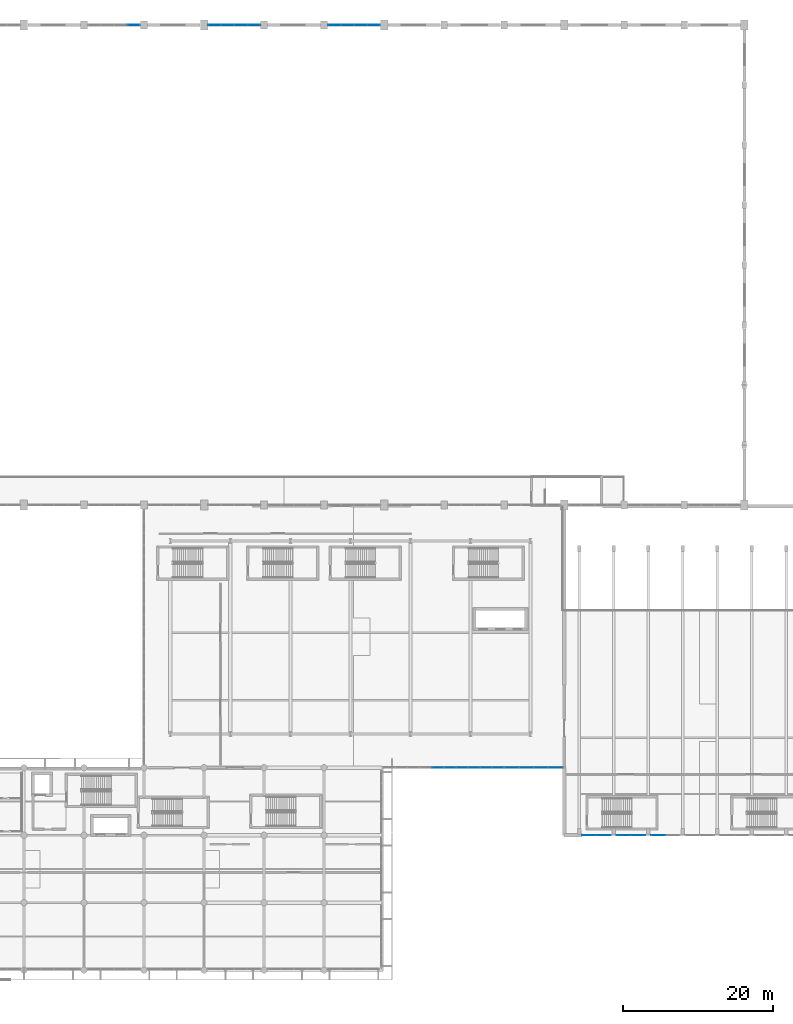
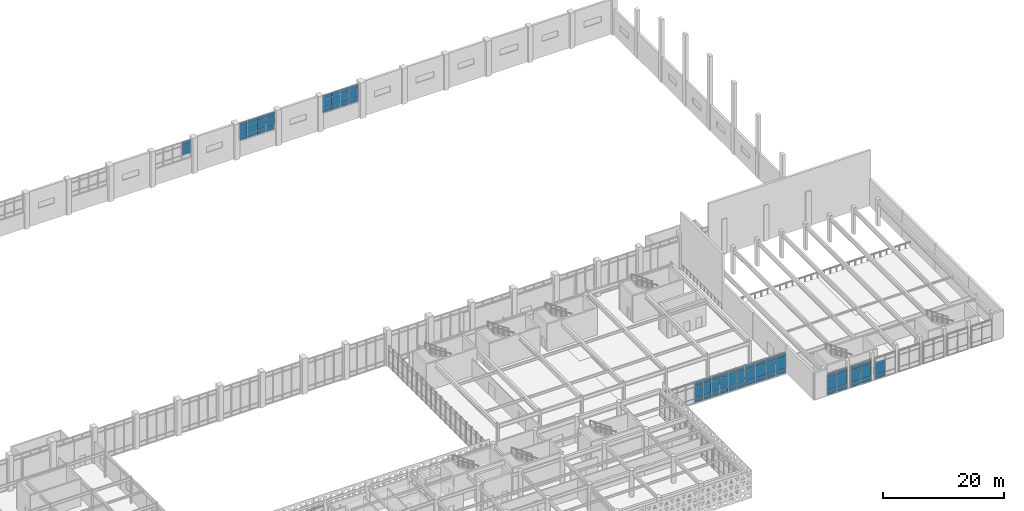
# One storey, part 56 of 84: 70 plates, 9 elements without a shape of their own.
"""IFC4 building model written with IfcOpenShell, lengths in metres."""

from ifc_helpers import new_model, si_unit, direction, frame, origin, origin_2d, place, context, subcontext, project, spatial, rectangle, extrude, material, layer, layer_set, type_object, element, aggregate, save


model = new_model("IFC4")

# Units and contexts
model_context = context("Model", 3, precision=1e-05, world=origin(), true_north=direction((0.0, 1.0)))
body_context = subcontext(model_context, "Body", "Model", "MODEL_VIEW")
ifc_project = project(units=[si_unit("LENGTHUNIT", "METRE"), si_unit("AREAUNIT", "SQUARE_METRE"), si_unit("VOLUMEUNIT", "CUBIC_METRE"), si_unit("PLANEANGLEUNIT", "RADIAN"), si_unit("MASSUNIT", "GRAM", prefix="KILO")], contexts=[model_context])

# Site, building, storey
site_placement = place(None, origin())
site = spatial("IfcSite", under=ifc_project, at=site_placement, CompositionType="ELEMENT")
building_placement = place(site_placement, origin())
building = spatial("IfcBuilding", under=site, at=building_placement, Name="Tlacozan Convention Centre", CompositionType="ELEMENT")
storey_placement = place(building_placement, frame((0.0, 0.0, 6.0)))
storey = spatial("IfcBuildingStorey", under=building, at=storey_placement, Name="L01", CompositionType="ELEMENT", Elevation=6.0)

# Curtain wall, plates
ifc_material_1 = material(Name="Dark Bronze Anodised Aluminium", Category="aluminium")
ifc_layer_1 = layer(ifc_material_1, 0.199951171875)
ifc_layer_set_1 = layer_set([ifc_layer_1], Name="Dark Bronze Anodised Aluminium")
curtain_wall_type_1 = type_object("IfcCurtainWallType", Name="Exhibition Clerestory Curtain Wall CW10", PredefinedType="NOTDEFINED", material=ifc_layer_set_1)
curtain_wall_1_placement = place(storey_placement, origin())
curtain_wall_1 = element("IfcCurtainWall", 1, at=curtain_wall_1_placement, inside=storey, type_object=curtain_wall_type_1, Name="L01 CW-10 Run 6", PredefinedType="NOTDEFINED")
ifc_material_2 = material(Name="Solar Control Double Low-E Argon Glazing", Category="glass")
ifc_layer_2 = layer(ifc_material_2, 0.050048828125)
ifc_layer_set_2 = layer_set([ifc_layer_2], Name="Solar Control Double Low-E Argon Glazing")
plate_type_1 = type_object("IfcPlateType", Name="Clerestory Solar CW Panel 50", PredefinedType="CURTAIN_PANEL", material=ifc_layer_set_2)
plate_1_placement = place(storey_placement, frame((86.632568359375, 126.0, 4.137451171875), z_axis=(0.0, 0.0, 1.0), x_axis=(1.0, 0.0, 0.0)))
plate_1 = element("IfcPlate", 2, at=plate_1_placement, type_object=plate_type_1, Name="CW-10 panel 4.2", PredefinedType="CURTAIN_PANEL", context=body_context, shape_type="SweptSolid", body=[
    extrude(rectangle(XDim=1.655029296875, YDim=0.050048828125, at=origin_2d()), origin(), (0.0, 0.0, 1.0), 1.77490234375),
])
plate_2_placement = place(storey_placement, frame((86.632568359375, 126.0, 5.9873046875), z_axis=(0.0, 0.0, 1.0), x_axis=(1.0, 0.0, 0.0)))
plate_2 = element("IfcPlate", 3, at=plate_2_placement, type_object=plate_type_1, Name="CW-10 panel 4.3", PredefinedType="CURTAIN_PANEL", context=body_context, shape_type="SweptSolid", body=[
    extrude(rectangle(XDim=1.655029296875, YDim=0.050048828125, at=origin_2d()), origin(), (0.0, 0.0, 1.0), 0.737548828125),
])
aggregate(curtain_wall_1, [plate_1, plate_2])

curtain_wall_2_placement = place(storey_placement, origin())
curtain_wall_2 = element("IfcCurtainWall", 4, at=curtain_wall_2_placement, inside=storey, type_object=curtain_wall_type_1, Name="L01 CW-10 Run 7", PredefinedType="NOTDEFINED")
plate_3_placement = place(storey_placement, frame((97.4111328125, 126.0, 3.27490234375), z_axis=(0.0, 0.0, 1.0), x_axis=(1.0, 0.0, 0.0)))
plate_3 = element("IfcPlate", 5, at=plate_3_placement, type_object=plate_type_1, Name="CW-10 panel 1.1", PredefinedType="CURTAIN_PANEL", context=body_context, shape_type="SweptSolid", body=[
    extrude(rectangle(XDim=1.642578125, YDim=0.050048828125, at=origin_2d()), origin(), (0.0, 0.0, 1.0), 0.78759765625),
])
plate_4_placement = place(storey_placement, frame((97.4111328125, 126.0, 4.137451171875), z_axis=(0.0, 0.0, 1.0), x_axis=(1.0, 0.0, 0.0)))
plate_4 = element("IfcPlate", 6, at=plate_4_placement, type_object=plate_type_1, Name="CW-10 panel 1.2", PredefinedType="CURTAIN_PANEL", context=body_context, shape_type="SweptSolid", body=[
    extrude(rectangle(XDim=1.642578125, YDim=0.050048828125, at=origin_2d()), origin(), (0.0, 0.0, 1.0), 1.77490234375),
])
plate_5_placement = place(storey_placement, frame((97.4111328125, 126.0, 5.9873046875), z_axis=(0.0, 0.0, 1.0), x_axis=(1.0, 0.0, 0.0)))
plate_5 = element("IfcPlate", 7, at=plate_5_placement, type_object=plate_type_1, Name="CW-10 panel 1.3", PredefinedType="CURTAIN_PANEL", context=body_context, shape_type="SweptSolid", body=[
    extrude(rectangle(XDim=1.642578125, YDim=0.050048828125, at=origin_2d()), origin(), (0.0, 0.0, 1.0), 0.737548828125),
])
plate_6_placement = place(storey_placement, frame((99.1474609375, 126.0, 3.27490234375), z_axis=(0.0, 0.0, 1.0), x_axis=(1.0, 0.0, 0.0)))
plate_6 = element("IfcPlate", 8, at=plate_6_placement, type_object=plate_type_1, Name="CW-10 panel 2.1", PredefinedType="CURTAIN_PANEL", context=body_context, shape_type="SweptSolid", body=[
    extrude(rectangle(XDim=1.679931640625, YDim=0.050048828125, at=origin_2d()), origin(), (0.0, 0.0, 1.0), 0.78759765625),
])
plate_7_placement = place(storey_placement, frame((99.1474609375, 126.0, 4.137451171875), z_axis=(0.0, 0.0, 1.0), x_axis=(1.0, 0.0, 0.0)))
plate_7 = element("IfcPlate", 9, at=plate_7_placement, type_object=plate_type_1, Name="CW-10 panel 2.2", PredefinedType="CURTAIN_PANEL", context=body_context, shape_type="SweptSolid", body=[
    extrude(rectangle(XDim=1.679931640625, YDim=0.050048828125, at=origin_2d()), origin(), (0.0, 0.0, 1.0), 1.77490234375),
])
plate_8_placement = place(storey_placement, frame((99.1474609375, 126.0, 5.9873046875), z_axis=(0.0, 0.0, 1.0), x_axis=(1.0, 0.0, 0.0)))
plate_8 = element("IfcPlate", 10, at=plate_8_placement, type_object=plate_type_1, Name="CW-10 panel 2.3", PredefinedType="CURTAIN_PANEL", context=body_context, shape_type="SweptSolid", body=[
    extrude(rectangle(XDim=1.679931640625, YDim=0.050048828125, at=origin_2d()), origin(), (0.0, 0.0, 1.0), 0.737548828125),
])
plate_9_placement = place(storey_placement, frame((100.902587890625, 126.0, 3.27490234375), z_axis=(0.0, 0.0, 1.0), x_axis=(1.0, 0.0, 0.0)))
plate_9 = element("IfcPlate", 11, at=plate_9_placement, type_object=plate_type_1, Name="CW-10 panel 3.1", PredefinedType="CURTAIN_PANEL", context=body_context, shape_type="SweptSolid", body=[
    extrude(rectangle(XDim=1.679931640625, YDim=0.050048828125, at=origin_2d()), origin(), (0.0, 0.0, 1.0), 0.78759765625),
])
plate_10_placement = place(storey_placement, frame((100.902587890625, 126.0, 4.137451171875), z_axis=(0.0, 0.0, 1.0), x_axis=(1.0, 0.0, 0.0)))
plate_10 = element("IfcPlate", 12, at=plate_10_placement, type_object=plate_type_1, Name="CW-10 panel 3.2", PredefinedType="CURTAIN_PANEL", context=body_context, shape_type="SweptSolid", body=[
    extrude(rectangle(XDim=1.679931640625, YDim=0.050048828125, at=origin_2d()), origin(), (0.0, 0.0, 1.0), 1.77490234375),
])
plate_11_placement = place(storey_placement, frame((100.902587890625, 126.0, 5.9873046875), z_axis=(0.0, 0.0, 1.0), x_axis=(1.0, 0.0, 0.0)))
plate_11 = element("IfcPlate", 13, at=plate_11_placement, type_object=plate_type_1, Name="CW-10 panel 3.3", PredefinedType="CURTAIN_PANEL", context=body_context, shape_type="SweptSolid", body=[
    extrude(rectangle(XDim=1.679931640625, YDim=0.050048828125, at=origin_2d()), origin(), (0.0, 0.0, 1.0), 0.737548828125),
])
plate_12_placement = place(storey_placement, frame((102.638671875, 126.0, 3.27490234375), z_axis=(0.0, 0.0, 1.0), x_axis=(1.0, 0.0, 0.0)))
plate_12 = element("IfcPlate", 14, at=plate_12_placement, type_object=plate_type_1, Name="CW-10 panel 4.1", PredefinedType="CURTAIN_PANEL", context=body_context, shape_type="SweptSolid", body=[
    extrude(rectangle(XDim=1.642578125, YDim=0.050048828125, at=origin_2d()), origin(), (0.0, 0.0, 1.0), 0.78759765625),
])
plate_13_placement = place(storey_placement, frame((102.638671875, 126.0, 4.137451171875), z_axis=(0.0, 0.0, 1.0), x_axis=(1.0, 0.0, 0.0)))
plate_13 = element("IfcPlate", 15, at=plate_13_placement, type_object=plate_type_1, Name="CW-10 panel 4.2", PredefinedType="CURTAIN_PANEL", context=body_context, shape_type="SweptSolid", body=[
    extrude(rectangle(XDim=1.642578125, YDim=0.050048828125, at=origin_2d()), origin(), (0.0, 0.0, 1.0), 1.77490234375),
])
plate_14_placement = place(storey_placement, frame((102.638671875, 126.0, 5.9873046875), z_axis=(0.0, 0.0, 1.0), x_axis=(1.0, 0.0, 0.0)))
plate_14 = element("IfcPlate", 16, at=plate_14_placement, type_object=plate_type_1, Name="CW-10 panel 4.3", PredefinedType="CURTAIN_PANEL", context=body_context, shape_type="SweptSolid", body=[
    extrude(rectangle(XDim=1.642578125, YDim=0.050048828125, at=origin_2d()), origin(), (0.0, 0.0, 1.0), 0.737548828125),
])
aggregate(curtain_wall_2, [plate_3, plate_4, plate_5, plate_6, plate_7, plate_8, plate_9, plate_10, plate_11, plate_12, plate_13, plate_14])

curtain_wall_3_placement = place(storey_placement, origin())
curtain_wall_3 = element("IfcCurtainWall", 17, at=curtain_wall_3_placement, inside=storey, type_object=curtain_wall_type_1, Name="L01 CW-10 Run 8", PredefinedType="NOTDEFINED")
plate_15_placement = place(storey_placement, frame((113.361328125, 126.0, 3.27490234375), z_axis=(0.0, 0.0, 1.0), x_axis=(1.0, 0.0, 0.0)))
plate_15 = element("IfcPlate", 18, at=plate_15_placement, type_object=plate_type_1, Name="CW-10 panel 1.1", PredefinedType="CURTAIN_PANEL", context=body_context, shape_type="SweptSolid", body=[
    extrude(rectangle(XDim=1.642578125, YDim=0.050048828125, at=origin_2d()), origin(), (0.0, 0.0, 1.0), 0.78759765625),
])
plate_16_placement = place(storey_placement, frame((113.361328125, 126.0, 4.137451171875), z_axis=(0.0, 0.0, 1.0), x_axis=(1.0, 0.0, 0.0)))
plate_16 = element("IfcPlate", 19, at=plate_16_placement, type_object=plate_type_1, Name="CW-10 panel 1.2", PredefinedType="CURTAIN_PANEL", context=body_context, shape_type="SweptSolid", body=[
    extrude(rectangle(XDim=1.642578125, YDim=0.050048828125, at=origin_2d()), origin(), (0.0, 0.0, 1.0), 1.77490234375),
])
plate_17_placement = place(storey_placement, frame((113.361328125, 126.0, 5.9873046875), z_axis=(0.0, 0.0, 1.0), x_axis=(1.0, 0.0, 0.0)))
plate_17 = element("IfcPlate", 20, at=plate_17_placement, type_object=plate_type_1, Name="CW-10 panel 1.3", PredefinedType="CURTAIN_PANEL", context=body_context, shape_type="SweptSolid", body=[
    extrude(rectangle(XDim=1.642578125, YDim=0.050048828125, at=origin_2d()), origin(), (0.0, 0.0, 1.0), 0.737548828125),
])
plate_18_placement = place(storey_placement, frame((115.097412109375, 126.0, 3.27490234375), z_axis=(0.0, 0.0, 1.0), x_axis=(1.0, 0.0, 0.0)))
plate_18 = element("IfcPlate", 21, at=plate_18_placement, type_object=plate_type_1, Name="CW-10 panel 2.1", PredefinedType="CURTAIN_PANEL", context=body_context, shape_type="SweptSolid", body=[
    extrude(rectangle(XDim=1.679931640625, YDim=0.050048828125, at=origin_2d()), origin(), (0.0, 0.0, 1.0), 0.78759765625),
])
plate_19_placement = place(storey_placement, frame((115.097412109375, 126.0, 4.137451171875), z_axis=(0.0, 0.0, 1.0), x_axis=(1.0, 0.0, 0.0)))
plate_19 = element("IfcPlate", 22, at=plate_19_placement, type_object=plate_type_1, Name="CW-10 panel 2.2", PredefinedType="CURTAIN_PANEL", context=body_context, shape_type="SweptSolid", body=[
    extrude(rectangle(XDim=1.679931640625, YDim=0.050048828125, at=origin_2d()), origin(), (0.0, 0.0, 1.0), 1.77490234375),
])
plate_20_placement = place(storey_placement, frame((115.097412109375, 126.0, 5.9873046875), z_axis=(0.0, 0.0, 1.0), x_axis=(1.0, 0.0, 0.0)))
plate_20 = element("IfcPlate", 23, at=plate_20_placement, type_object=plate_type_1, Name="CW-10 panel 2.3", PredefinedType="CURTAIN_PANEL", context=body_context, shape_type="SweptSolid", body=[
    extrude(rectangle(XDim=1.679931640625, YDim=0.050048828125, at=origin_2d()), origin(), (0.0, 0.0, 1.0), 0.737548828125),
])
plate_21_placement = place(storey_placement, frame((116.8525390625, 126.0, 3.27490234375), z_axis=(0.0, 0.0, 1.0), x_axis=(1.0, 0.0, 0.0)))
plate_21 = element("IfcPlate", 24, at=plate_21_placement, type_object=plate_type_1, Name="CW-10 panel 3.1", PredefinedType="CURTAIN_PANEL", context=body_context, shape_type="SweptSolid", body=[
    extrude(rectangle(XDim=1.679931640625, YDim=0.050048828125, at=origin_2d()), origin(), (0.0, 0.0, 1.0), 0.78759765625),
])
plate_22_placement = place(storey_placement, frame((116.8525390625, 126.0, 4.137451171875), z_axis=(0.0, 0.0, 1.0), x_axis=(1.0, 0.0, 0.0)))
plate_22 = element("IfcPlate", 25, at=plate_22_placement, type_object=plate_type_1, Name="CW-10 panel 3.2", PredefinedType="CURTAIN_PANEL", context=body_context, shape_type="SweptSolid", body=[
    extrude(rectangle(XDim=1.679931640625, YDim=0.050048828125, at=origin_2d()), origin(), (0.0, 0.0, 1.0), 1.77490234375),
])
plate_23_placement = place(storey_placement, frame((116.8525390625, 126.0, 5.9873046875), z_axis=(0.0, 0.0, 1.0), x_axis=(1.0, 0.0, 0.0)))
plate_23 = element("IfcPlate", 26, at=plate_23_placement, type_object=plate_type_1, Name="CW-10 panel 3.3", PredefinedType="CURTAIN_PANEL", context=body_context, shape_type="SweptSolid", body=[
    extrude(rectangle(XDim=1.679931640625, YDim=0.050048828125, at=origin_2d()), origin(), (0.0, 0.0, 1.0), 0.737548828125),
])
plate_24_placement = place(storey_placement, frame((118.5888671875, 126.0, 3.27490234375), z_axis=(0.0, 0.0, 1.0), x_axis=(1.0, 0.0, 0.0)))
plate_24 = element("IfcPlate", 27, at=plate_24_placement, type_object=plate_type_1, Name="CW-10 panel 4.1", PredefinedType="CURTAIN_PANEL", context=body_context, shape_type="SweptSolid", body=[
    extrude(rectangle(XDim=1.642578125, YDim=0.050048828125, at=origin_2d()), origin(), (0.0, 0.0, 1.0), 0.78759765625),
])
plate_25_placement = place(storey_placement, frame((118.5888671875, 126.0, 4.137451171875), z_axis=(0.0, 0.0, 1.0), x_axis=(1.0, 0.0, 0.0)))
plate_25 = element("IfcPlate", 28, at=plate_25_placement, type_object=plate_type_1, Name="CW-10 panel 4.2", PredefinedType="CURTAIN_PANEL", context=body_context, shape_type="SweptSolid", body=[
    extrude(rectangle(XDim=1.642578125, YDim=0.050048828125, at=origin_2d()), origin(), (0.0, 0.0, 1.0), 1.77490234375),
])
plate_26_placement = place(storey_placement, frame((118.5888671875, 126.0, 5.9873046875), z_axis=(0.0, 0.0, 1.0), x_axis=(1.0, 0.0, 0.0)))
plate_26 = element("IfcPlate", 29, at=plate_26_placement, type_object=plate_type_1, Name="CW-10 panel 4.3", PredefinedType="CURTAIN_PANEL", context=body_context, shape_type="SweptSolid", body=[
    extrude(rectangle(XDim=1.642578125, YDim=0.050048828125, at=origin_2d()), origin(), (0.0, 0.0, 1.0), 0.737548828125),
])
aggregate(curtain_wall_3, [plate_15, plate_16, plate_17, plate_18, plate_19, plate_20, plate_21, plate_22, plate_23, plate_24, plate_25, plate_26])

ifc_layer_3 = layer(ifc_material_1, 0.139892578125)
ifc_layer_set_3 = layer_set([ifc_layer_3], Name="Dark Bronze Anodised Aluminium")
curtain_wall_type_2 = type_object("IfcCurtainWallType", Name="Plenary Foyer L01 Curtain Wall CW11", PredefinedType="NOTDEFINED", material=ifc_layer_set_3)
curtain_wall_4_placement = place(storey_placement, origin())
curtain_wall_4 = element("IfcCurtainWall", 30, at=curtain_wall_4_placement, inside=storey, type_object=curtain_wall_type_2, Name="L01 CW-11 Run 141", PredefinedType="NOTDEFINED")
ifc_layer_4 = layer(ifc_material_2, 0.030029296875)
ifc_layer_set_4 = layer_set([ifc_layer_4], Name="Solar Control Double Low-E Argon Glazing")
plate_type_2 = type_object("IfcPlateType", Name="Double Low-E Acoustic CW Panel 30", PredefinedType="CURTAIN_PANEL", material=ifc_layer_set_4)
plate_27_placement = place(storey_placement, frame((147.340087890625, 18.0, 0.06005859375), z_axis=(0.0, 0.0, 1.0), x_axis=(1.0, 0.0, 0.0)))
plate_27 = element("IfcPlate", 31, at=plate_27_placement, type_object=plate_type_2, Name="CW-11 panel 1.1", PredefinedType="CURTAIN_PANEL", context=body_context, shape_type="SweptSolid", body=[
    extrude(rectangle(XDim=1.860107421875, YDim=0.030029296875, at=origin_2d()), origin(), (0.0, 0.0, 1.0), 0.81005859375),
])
plate_28_placement = place(storey_placement, frame((147.340087890625, 18.0, 0.93017578125), z_axis=(0.0, 0.0, 1.0), x_axis=(1.0, 0.0, 0.0)))
plate_28 = element("IfcPlate", 32, at=plate_28_placement, type_object=plate_type_2, Name="CW-11 panel 1.2", PredefinedType="CURTAIN_PANEL", context=body_context, shape_type="SweptSolid", body=[
    extrude(rectangle(XDim=1.860107421875, YDim=0.030029296875, at=origin_2d()), origin(), (0.0, 0.0, 1.0), 2.389892578125),
])
plate_29_placement = place(storey_placement, frame((147.340087890625, 18.0, 3.3798828125), z_axis=(0.0, 0.0, 1.0), x_axis=(1.0, 0.0, 0.0)))
plate_29 = element("IfcPlate", 33, at=plate_29_placement, type_object=plate_type_2, Name="CW-11 panel 1.3", PredefinedType="CURTAIN_PANEL", context=body_context, shape_type="SweptSolid", body=[
    extrude(rectangle(XDim=1.860107421875, YDim=0.030029296875, at=origin_2d()), origin(), (0.0, 0.0, 1.0), 0.760009765625),
])
plate_30_placement = place(storey_placement, frame((149.260009765625, 18.0, 0.06005859375), z_axis=(0.0, 0.0, 1.0), x_axis=(1.0, 0.0, 0.0)))
plate_30 = element("IfcPlate", 34, at=plate_30_placement, type_object=plate_type_2, Name="CW-11 panel 2.1", PredefinedType="CURTAIN_PANEL", context=body_context, shape_type="SweptSolid", body=[
    extrude(rectangle(XDim=1.860107421875, YDim=0.030029296875, at=origin_2d()), origin(), (0.0, 0.0, 1.0), 0.81005859375),
])
plate_31_placement = place(storey_placement, frame((149.260009765625, 18.0, 0.93017578125), z_axis=(0.0, 0.0, 1.0), x_axis=(1.0, 0.0, 0.0)))
plate_31 = element("IfcPlate", 35, at=plate_31_placement, type_object=plate_type_2, Name="CW-11 panel 2.2", PredefinedType="CURTAIN_PANEL", context=body_context, shape_type="SweptSolid", body=[
    extrude(rectangle(XDim=1.860107421875, YDim=0.030029296875, at=origin_2d()), origin(), (0.0, 0.0, 1.0), 2.389892578125),
])
plate_32_placement = place(storey_placement, frame((149.260009765625, 18.0, 3.3798828125), z_axis=(0.0, 0.0, 1.0), x_axis=(1.0, 0.0, 0.0)))
plate_32 = element("IfcPlate", 36, at=plate_32_placement, type_object=plate_type_2, Name="CW-11 panel 2.3", PredefinedType="CURTAIN_PANEL", context=body_context, shape_type="SweptSolid", body=[
    extrude(rectangle(XDim=1.860107421875, YDim=0.030029296875, at=origin_2d()), origin(), (0.0, 0.0, 1.0), 0.760009765625),
])
aggregate(curtain_wall_4, [plate_27, plate_28, plate_29, plate_30, plate_31, plate_32])

curtain_wall_5_placement = place(storey_placement, origin())
curtain_wall_5 = element("IfcCurtainWall", 37, at=curtain_wall_5_placement, inside=storey, type_object=curtain_wall_type_2, Name="L01 CW-11 Run 143", PredefinedType="NOTDEFINED")
plate_33_placement = place(storey_placement, frame((151.93994140625, 18.0, 0.06005859375), z_axis=(0.0, 0.0, 1.0), x_axis=(1.0, 0.0, 0.0)))
plate_33 = element("IfcPlate", 38, at=plate_33_placement, type_object=plate_type_2, Name="CW-11 panel 1.1", PredefinedType="CURTAIN_PANEL", context=body_context, shape_type="SweptSolid", body=[
    extrude(rectangle(XDim=1.860107421875, YDim=0.030029296875, at=origin_2d()), origin(), (0.0, 0.0, 1.0), 0.81005859375),
])
plate_34_placement = place(storey_placement, frame((151.93994140625, 18.0, 0.93017578125), z_axis=(0.0, 0.0, 1.0), x_axis=(1.0, 0.0, 0.0)))
plate_34 = element("IfcPlate", 39, at=plate_34_placement, type_object=plate_type_2, Name="CW-11 panel 1.2", PredefinedType="CURTAIN_PANEL", context=body_context, shape_type="SweptSolid", body=[
    extrude(rectangle(XDim=1.860107421875, YDim=0.030029296875, at=origin_2d()), origin(), (0.0, 0.0, 1.0), 2.389892578125),
])
plate_35_placement = place(storey_placement, frame((151.93994140625, 18.0, 3.3798828125), z_axis=(0.0, 0.0, 1.0), x_axis=(1.0, 0.0, 0.0)))
plate_35 = element("IfcPlate", 40, at=plate_35_placement, type_object=plate_type_2, Name="CW-11 panel 1.3", PredefinedType="CURTAIN_PANEL", context=body_context, shape_type="SweptSolid", body=[
    extrude(rectangle(XDim=1.860107421875, YDim=0.030029296875, at=origin_2d()), origin(), (0.0, 0.0, 1.0), 0.760009765625),
])
plate_36_placement = place(storey_placement, frame((153.860107421875, 18.0, 0.06005859375), z_axis=(0.0, 0.0, 1.0), x_axis=(1.0, 0.0, 0.0)))
plate_36 = element("IfcPlate", 41, at=plate_36_placement, type_object=plate_type_2, Name="CW-11 panel 2.1", PredefinedType="CURTAIN_PANEL", context=body_context, shape_type="SweptSolid", body=[
    extrude(rectangle(XDim=1.860107421875, YDim=0.030029296875, at=origin_2d()), origin(), (0.0, 0.0, 1.0), 0.81005859375),
])
plate_37_placement = place(storey_placement, frame((153.860107421875, 18.0, 0.93017578125), z_axis=(0.0, 0.0, 1.0), x_axis=(1.0, 0.0, 0.0)))
plate_37 = element("IfcPlate", 42, at=plate_37_placement, type_object=plate_type_2, Name="CW-11 panel 2.2", PredefinedType="CURTAIN_PANEL", context=body_context, shape_type="SweptSolid", body=[
    extrude(rectangle(XDim=1.860107421875, YDim=0.030029296875, at=origin_2d()), origin(), (0.0, 0.0, 1.0), 2.389892578125),
])
plate_38_placement = place(storey_placement, frame((153.860107421875, 18.0, 3.3798828125), z_axis=(0.0, 0.0, 1.0), x_axis=(1.0, 0.0, 0.0)))
plate_38 = element("IfcPlate", 43, at=plate_38_placement, type_object=plate_type_2, Name="CW-11 panel 2.3", PredefinedType="CURTAIN_PANEL", context=body_context, shape_type="SweptSolid", body=[
    extrude(rectangle(XDim=1.860107421875, YDim=0.030029296875, at=origin_2d()), origin(), (0.0, 0.0, 1.0), 0.760009765625),
])
aggregate(curtain_wall_5, [plate_33, plate_34, plate_35, plate_36, plate_37, plate_38])

curtain_wall_6_placement = place(storey_placement, origin())
curtain_wall_6 = element("IfcCurtainWall", 44, at=curtain_wall_6_placement, inside=storey, type_object=curtain_wall_type_2, Name="L01 CW-11 Run 145", PredefinedType="NOTDEFINED")
plate_39_placement = place(storey_placement, frame((156.5400390625, 18.0, 0.06005859375), z_axis=(0.0, 0.0, 1.0), x_axis=(1.0, 0.0, 0.0)))
plate_39 = element("IfcPlate", 45, at=plate_39_placement, type_object=plate_type_2, Name="CW-11 panel 1.1", PredefinedType="CURTAIN_PANEL", context=body_context, shape_type="SweptSolid", body=[
    extrude(rectangle(XDim=1.860107421875, YDim=0.030029296875, at=origin_2d()), origin(), (0.0, 0.0, 1.0), 0.81005859375),
])
plate_40_placement = place(storey_placement, frame((156.5400390625, 18.0, 0.93017578125), z_axis=(0.0, 0.0, 1.0), x_axis=(1.0, 0.0, 0.0)))
plate_40 = element("IfcPlate", 46, at=plate_40_placement, type_object=plate_type_2, Name="CW-11 panel 1.2", PredefinedType="CURTAIN_PANEL", context=body_context, shape_type="SweptSolid", body=[
    extrude(rectangle(XDim=1.860107421875, YDim=0.030029296875, at=origin_2d()), origin(), (0.0, 0.0, 1.0), 2.389892578125),
])
aggregate(curtain_wall_6, [plate_39, plate_40])

ifc_layer_5 = layer(ifc_material_1, 0.199951171875)
ifc_layer_set_5 = layer_set([ifc_layer_5], Name="Dark Bronze Anodised Aluminium")
curtain_wall_type_3 = type_object("IfcCurtainWallType", Name="Unitised Ballroom Cloister L01 CW08", PredefinedType="NOTDEFINED", material=ifc_layer_set_5)
curtain_wall_7_placement = place(storey_placement, origin())
curtain_wall_7 = element("IfcCurtainWall", 47, at=curtain_wall_7_placement, inside=storey, type_object=curtain_wall_type_3, Name="L01 CW-08 Run 165", PredefinedType="NOTDEFINED")
plate_41_placement = place(storey_placement, frame((127.163818359375, 27.0, 0.06494140625), z_axis=(0.0, 0.0, 1.0), x_axis=(1.0, 0.0, 0.0)))
plate_41 = element("IfcPlate", 48, at=plate_41_placement, type_object=plate_type_2, Name="CW-08 panel 5.1", PredefinedType="CURTAIN_PANEL", context=body_context, shape_type="SweptSolid", body=[
    extrude(rectangle(XDim=1.54248046875, YDim=0.030029296875, at=origin_2d()), origin(), (0.0, 0.0, 1.0), 0.802490234375),
])
plate_42_placement = place(storey_placement, frame((127.163818359375, 27.0, 0.9326171875), z_axis=(0.0, 0.0, 1.0), x_axis=(1.0, 0.0, 0.0)))
plate_42 = element("IfcPlate", 49, at=plate_42_placement, type_object=plate_type_2, Name="CW-08 panel 5.2", PredefinedType="CURTAIN_PANEL", context=body_context, shape_type="SweptSolid", body=[
    extrude(rectangle(XDim=1.54248046875, YDim=0.030029296875, at=origin_2d()), origin(), (0.0, 0.0, 1.0), 2.284912109375),
])
plate_43_placement = place(storey_placement, frame((127.163818359375, 27.0, 3.282470703125), z_axis=(0.0, 0.0, 1.0), x_axis=(1.0, 0.0, 0.0)))
plate_43 = element("IfcPlate", 50, at=plate_43_placement, type_object=plate_type_2, Name="CW-08 panel 5.3", PredefinedType="CURTAIN_PANEL", context=body_context, shape_type="SweptSolid", body=[
    extrude(rectangle(XDim=1.54248046875, YDim=0.030029296875, at=origin_2d()), origin(), (0.0, 0.0, 1.0), 0.75244140625),
])
aggregate(curtain_wall_7, [plate_41, plate_42, plate_43])

curtain_wall_8_placement = place(storey_placement, origin())
curtain_wall_8 = element("IfcCurtainWall", 51, at=curtain_wall_8_placement, inside=storey, type_object=curtain_wall_type_3, Name="L01 CW-08 Run 166", PredefinedType="NOTDEFINED")
plate_44_placement = place(storey_placement, frame((128.816162109375, 27.0, 0.06494140625), z_axis=(0.0, 0.0, 1.0), x_axis=(1.0, 0.0, 0.0)))
plate_44 = element("IfcPlate", 52, at=plate_44_placement, type_object=plate_type_2, Name="CW-08 panel 1.1", PredefinedType="CURTAIN_PANEL", context=body_context, shape_type="SweptSolid", body=[
    extrude(rectangle(XDim=1.50244140625, YDim=0.030029296875, at=origin_2d()), origin(), (0.0, 0.0, 1.0), 0.802490234375),
])
plate_45_placement = place(storey_placement, frame((128.816162109375, 27.0, 0.9326171875), z_axis=(0.0, 0.0, 1.0), x_axis=(1.0, 0.0, 0.0)))
plate_45 = element("IfcPlate", 53, at=plate_45_placement, type_object=plate_type_2, Name="CW-08 panel 1.2", PredefinedType="CURTAIN_PANEL", context=body_context, shape_type="SweptSolid", body=[
    extrude(rectangle(XDim=1.50244140625, YDim=0.030029296875, at=origin_2d()), origin(), (0.0, 0.0, 1.0), 2.284912109375),
])
plate_46_placement = place(storey_placement, frame((128.816162109375, 27.0, 3.282470703125), z_axis=(0.0, 0.0, 1.0), x_axis=(1.0, 0.0, 0.0)))
plate_46 = element("IfcPlate", 54, at=plate_46_placement, type_object=plate_type_2, Name="CW-08 panel 1.3", PredefinedType="CURTAIN_PANEL", context=body_context, shape_type="SweptSolid", body=[
    extrude(rectangle(XDim=1.50244140625, YDim=0.030029296875, at=origin_2d()), origin(), (0.0, 0.0, 1.0), 0.75244140625),
])
plate_47_placement = place(storey_placement, frame((130.39990234375, 27.0, 0.06494140625), z_axis=(0.0, 0.0, 1.0), x_axis=(1.0, 0.0, 0.0)))
plate_47 = element("IfcPlate", 55, at=plate_47_placement, type_object=plate_type_2, Name="CW-08 panel 2.1", PredefinedType="CURTAIN_PANEL", context=body_context, shape_type="SweptSolid", body=[
    extrude(rectangle(XDim=1.534912109375, YDim=0.030029296875, at=origin_2d()), origin(), (0.0, 0.0, 1.0), 0.802490234375),
])
plate_48_placement = place(storey_placement, frame((130.39990234375, 27.0, 0.9326171875), z_axis=(0.0, 0.0, 1.0), x_axis=(1.0, 0.0, 0.0)))
plate_48 = element("IfcPlate", 56, at=plate_48_placement, type_object=plate_type_2, Name="CW-08 panel 2.2", PredefinedType="CURTAIN_PANEL", context=body_context, shape_type="SweptSolid", body=[
    extrude(rectangle(XDim=1.534912109375, YDim=0.030029296875, at=origin_2d()), origin(), (0.0, 0.0, 1.0), 2.284912109375),
])
plate_49_placement = place(storey_placement, frame((130.39990234375, 27.0, 3.282470703125), z_axis=(0.0, 0.0, 1.0), x_axis=(1.0, 0.0, 0.0)))
plate_49 = element("IfcPlate", 57, at=plate_49_placement, type_object=plate_type_2, Name="CW-08 panel 2.3", PredefinedType="CURTAIN_PANEL", context=body_context, shape_type="SweptSolid", body=[
    extrude(rectangle(XDim=1.534912109375, YDim=0.030029296875, at=origin_2d()), origin(), (0.0, 0.0, 1.0), 0.75244140625),
])
plate_50_placement = place(storey_placement, frame((132.0, 27.0, 0.06494140625), z_axis=(0.0, 0.0, 1.0), x_axis=(1.0, 0.0, 0.0)))
plate_50 = element("IfcPlate", 58, at=plate_50_placement, type_object=plate_type_2, Name="CW-08 panel 3.1", PredefinedType="CURTAIN_PANEL", context=body_context, shape_type="SweptSolid", body=[
    extrude(rectangle(XDim=1.534912109375, YDim=0.030029296875, at=origin_2d()), origin(), (0.0, 0.0, 1.0), 0.802490234375),
])
plate_51_placement = place(storey_placement, frame((132.0, 27.0, 0.9326171875), z_axis=(0.0, 0.0, 1.0), x_axis=(1.0, 0.0, 0.0)))
plate_51 = element("IfcPlate", 59, at=plate_51_placement, type_object=plate_type_2, Name="CW-08 panel 3.2", PredefinedType="CURTAIN_PANEL", context=body_context, shape_type="SweptSolid", body=[
    extrude(rectangle(XDim=1.534912109375, YDim=0.030029296875, at=origin_2d()), origin(), (0.0, 0.0, 1.0), 2.284912109375),
])
plate_52_placement = place(storey_placement, frame((132.0, 27.0, 3.282470703125), z_axis=(0.0, 0.0, 1.0), x_axis=(1.0, 0.0, 0.0)))
plate_52 = element("IfcPlate", 60, at=plate_52_placement, type_object=plate_type_2, Name="CW-08 panel 3.3", PredefinedType="CURTAIN_PANEL", context=body_context, shape_type="SweptSolid", body=[
    extrude(rectangle(XDim=1.534912109375, YDim=0.030029296875, at=origin_2d()), origin(), (0.0, 0.0, 1.0), 0.75244140625),
])
plate_53_placement = place(storey_placement, frame((133.60009765625, 27.0, 0.06494140625), z_axis=(0.0, 0.0, 1.0), x_axis=(1.0, 0.0, 0.0)))
plate_53 = element("IfcPlate", 61, at=plate_53_placement, type_object=plate_type_2, Name="CW-08 panel 4.1", PredefinedType="CURTAIN_PANEL", context=body_context, shape_type="SweptSolid", body=[
    extrude(rectangle(XDim=1.534912109375, YDim=0.030029296875, at=origin_2d()), origin(), (0.0, 0.0, 1.0), 0.802490234375),
])
plate_54_placement = place(storey_placement, frame((133.60009765625, 27.0, 0.9326171875), z_axis=(0.0, 0.0, 1.0), x_axis=(1.0, 0.0, 0.0)))
plate_54 = element("IfcPlate", 62, at=plate_54_placement, type_object=plate_type_2, Name="CW-08 panel 4.2", PredefinedType="CURTAIN_PANEL", context=body_context, shape_type="SweptSolid", body=[
    extrude(rectangle(XDim=1.534912109375, YDim=0.030029296875, at=origin_2d()), origin(), (0.0, 0.0, 1.0), 2.284912109375),
])
plate_55_placement = place(storey_placement, frame((133.60009765625, 27.0, 3.282470703125), z_axis=(0.0, 0.0, 1.0), x_axis=(1.0, 0.0, 0.0)))
plate_55 = element("IfcPlate", 63, at=plate_55_placement, type_object=plate_type_2, Name="CW-08 panel 4.3", PredefinedType="CURTAIN_PANEL", context=body_context, shape_type="SweptSolid", body=[
    extrude(rectangle(XDim=1.534912109375, YDim=0.030029296875, at=origin_2d()), origin(), (0.0, 0.0, 1.0), 0.75244140625),
])
plate_56_placement = place(storey_placement, frame((135.183837890625, 27.0, 0.06494140625), z_axis=(0.0, 0.0, 1.0), x_axis=(1.0, 0.0, 0.0)))
plate_56 = element("IfcPlate", 64, at=plate_56_placement, type_object=plate_type_2, Name="CW-08 panel 5.1", PredefinedType="CURTAIN_PANEL", context=body_context, shape_type="SweptSolid", body=[
    extrude(rectangle(XDim=1.50244140625, YDim=0.030029296875, at=origin_2d()), origin(), (0.0, 0.0, 1.0), 0.802490234375),
])
plate_57_placement = place(storey_placement, frame((135.183837890625, 27.0, 0.9326171875), z_axis=(0.0, 0.0, 1.0), x_axis=(1.0, 0.0, 0.0)))
plate_57 = element("IfcPlate", 65, at=plate_57_placement, type_object=plate_type_2, Name="CW-08 panel 5.2", PredefinedType="CURTAIN_PANEL", context=body_context, shape_type="SweptSolid", body=[
    extrude(rectangle(XDim=1.50244140625, YDim=0.030029296875, at=origin_2d()), origin(), (0.0, 0.0, 1.0), 2.284912109375),
])
plate_58_placement = place(storey_placement, frame((135.183837890625, 27.0, 3.282470703125), z_axis=(0.0, 0.0, 1.0), x_axis=(1.0, 0.0, 0.0)))
plate_58 = element("IfcPlate", 66, at=plate_58_placement, type_object=plate_type_2, Name="CW-08 panel 5.3", PredefinedType="CURTAIN_PANEL", context=body_context, shape_type="SweptSolid", body=[
    extrude(rectangle(XDim=1.50244140625, YDim=0.030029296875, at=origin_2d()), origin(), (0.0, 0.0, 1.0), 0.75244140625),
])
aggregate(curtain_wall_8, [plate_44, plate_45, plate_46, plate_47, plate_48, plate_49, plate_50, plate_51, plate_52, plate_53, plate_54, plate_55, plate_56, plate_57, plate_58])

curtain_wall_9_placement = place(storey_placement, origin())
curtain_wall_9 = element("IfcCurtainWall", 67, at=curtain_wall_9_placement, inside=storey, type_object=curtain_wall_type_3, Name="L01 CW-08 Run 167", PredefinedType="NOTDEFINED")
plate_59_placement = place(storey_placement, frame((136.99755859375, 27.0, 0.06494140625), z_axis=(0.0, 0.0, 1.0), x_axis=(1.0, 0.0, 0.0)))
plate_59 = element("IfcPlate", 68, at=plate_59_placement, type_object=plate_type_2, Name="CW-08 panel 1.1", PredefinedType="CURTAIN_PANEL", context=body_context, shape_type="SweptSolid", body=[
    extrude(rectangle(XDim=1.864990234375, YDim=0.030029296875, at=origin_2d()), origin(), (0.0, 0.0, 1.0), 0.802490234375),
])
plate_60_placement = place(storey_placement, frame((136.99755859375, 27.0, 0.9326171875), z_axis=(0.0, 0.0, 1.0), x_axis=(1.0, 0.0, 0.0)))
plate_60 = element("IfcPlate", 69, at=plate_60_placement, type_object=plate_type_2, Name="CW-08 panel 1.2", PredefinedType="CURTAIN_PANEL", context=body_context, shape_type="SweptSolid", body=[
    extrude(rectangle(XDim=1.864990234375, YDim=0.030029296875, at=origin_2d()), origin(), (0.0, 0.0, 1.0), 2.284912109375),
])
plate_61_placement = place(storey_placement, frame((136.99755859375, 27.0, 3.282470703125), z_axis=(0.0, 0.0, 1.0), x_axis=(1.0, 0.0, 0.0)))
plate_61 = element("IfcPlate", 70, at=plate_61_placement, type_object=plate_type_2, Name="CW-08 panel 1.3", PredefinedType="CURTAIN_PANEL", context=body_context, shape_type="SweptSolid", body=[
    extrude(rectangle(XDim=1.864990234375, YDim=0.030029296875, at=origin_2d()), origin(), (0.0, 0.0, 1.0), 0.75244140625),
])
plate_62_placement = place(storey_placement, frame((138.94384765625, 27.0, 0.06494140625), z_axis=(0.0, 0.0, 1.0), x_axis=(1.0, 0.0, 0.0)))
plate_62 = element("IfcPlate", 71, at=plate_62_placement, type_object=plate_type_2, Name="CW-08 panel 2.1", PredefinedType="CURTAIN_PANEL", context=body_context, shape_type="SweptSolid", body=[
    extrude(rectangle(XDim=1.8974609375, YDim=0.030029296875, at=origin_2d()), origin(), (0.0, 0.0, 1.0), 0.802490234375),
])
plate_63_placement = place(storey_placement, frame((138.94384765625, 27.0, 0.9326171875), z_axis=(0.0, 0.0, 1.0), x_axis=(1.0, 0.0, 0.0)))
plate_63 = element("IfcPlate", 72, at=plate_63_placement, type_object=plate_type_2, Name="CW-08 panel 2.2", PredefinedType="CURTAIN_PANEL", context=body_context, shape_type="SweptSolid", body=[
    extrude(rectangle(XDim=1.8974609375, YDim=0.030029296875, at=origin_2d()), origin(), (0.0, 0.0, 1.0), 2.284912109375),
])
plate_64_placement = place(storey_placement, frame((138.94384765625, 27.0, 3.282470703125), z_axis=(0.0, 0.0, 1.0), x_axis=(1.0, 0.0, 0.0)))
plate_64 = element("IfcPlate", 73, at=plate_64_placement, type_object=plate_type_2, Name="CW-08 panel 2.3", PredefinedType="CURTAIN_PANEL", context=body_context, shape_type="SweptSolid", body=[
    extrude(rectangle(XDim=1.8974609375, YDim=0.030029296875, at=origin_2d()), origin(), (0.0, 0.0, 1.0), 0.75244140625),
])
plate_65_placement = place(storey_placement, frame((140.90625, 27.0, 0.06494140625), z_axis=(0.0, 0.0, 1.0), x_axis=(1.0, 0.0, 0.0)))
plate_65 = element("IfcPlate", 74, at=plate_65_placement, type_object=plate_type_2, Name="CW-08 panel 3.1", PredefinedType="CURTAIN_PANEL", context=body_context, shape_type="SweptSolid", body=[
    extrude(rectangle(XDim=1.8974609375, YDim=0.030029296875, at=origin_2d()), origin(), (0.0, 0.0, 1.0), 0.802490234375),
])
plate_66_placement = place(storey_placement, frame((140.90625, 27.0, 0.9326171875), z_axis=(0.0, 0.0, 1.0), x_axis=(1.0, 0.0, 0.0)))
plate_66 = element("IfcPlate", 75, at=plate_66_placement, type_object=plate_type_2, Name="CW-08 panel 3.2", PredefinedType="CURTAIN_PANEL", context=body_context, shape_type="SweptSolid", body=[
    extrude(rectangle(XDim=1.8974609375, YDim=0.030029296875, at=origin_2d()), origin(), (0.0, 0.0, 1.0), 2.284912109375),
])
plate_67_placement = place(storey_placement, frame((140.90625, 27.0, 3.282470703125), z_axis=(0.0, 0.0, 1.0), x_axis=(1.0, 0.0, 0.0)))
plate_67 = element("IfcPlate", 76, at=plate_67_placement, type_object=plate_type_2, Name="CW-08 panel 3.3", PredefinedType="CURTAIN_PANEL", context=body_context, shape_type="SweptSolid", body=[
    extrude(rectangle(XDim=1.8974609375, YDim=0.030029296875, at=origin_2d()), origin(), (0.0, 0.0, 1.0), 0.75244140625),
])
plate_68_placement = place(storey_placement, frame((142.8525390625, 27.0, 0.06494140625), z_axis=(0.0, 0.0, 1.0), x_axis=(1.0, 0.0, 0.0)))
plate_68 = element("IfcPlate", 77, at=plate_68_placement, type_object=plate_type_2, Name="CW-08 panel 4.1", PredefinedType="CURTAIN_PANEL", context=body_context, shape_type="SweptSolid", body=[
    extrude(rectangle(XDim=1.864990234375, YDim=0.030029296875, at=origin_2d()), origin(), (0.0, 0.0, 1.0), 0.802490234375),
])
plate_69_placement = place(storey_placement, frame((142.8525390625, 27.0, 0.9326171875), z_axis=(0.0, 0.0, 1.0), x_axis=(1.0, 0.0, 0.0)))
plate_69 = element("IfcPlate", 78, at=plate_69_placement, type_object=plate_type_2, Name="CW-08 panel 4.2", PredefinedType="CURTAIN_PANEL", context=body_context, shape_type="SweptSolid", body=[
    extrude(rectangle(XDim=1.864990234375, YDim=0.030029296875, at=origin_2d()), origin(), (0.0, 0.0, 1.0), 2.284912109375),
])
plate_70_placement = place(storey_placement, frame((142.8525390625, 27.0, 3.282470703125), z_axis=(0.0, 0.0, 1.0), x_axis=(1.0, 0.0, 0.0)))
plate_70 = element("IfcPlate", 79, at=plate_70_placement, type_object=plate_type_2, Name="CW-08 panel 4.3", PredefinedType="CURTAIN_PANEL", context=body_context, shape_type="SweptSolid", body=[
    extrude(rectangle(XDim=1.864990234375, YDim=0.030029296875, at=origin_2d()), origin(), (0.0, 0.0, 1.0), 0.75244140625),
])
aggregate(curtain_wall_9, [plate_59, plate_60, plate_61, plate_62, plate_63, plate_64, plate_65, plate_66, plate_67, plate_68, plate_69, plate_70])

save(model, "model.ifc")
